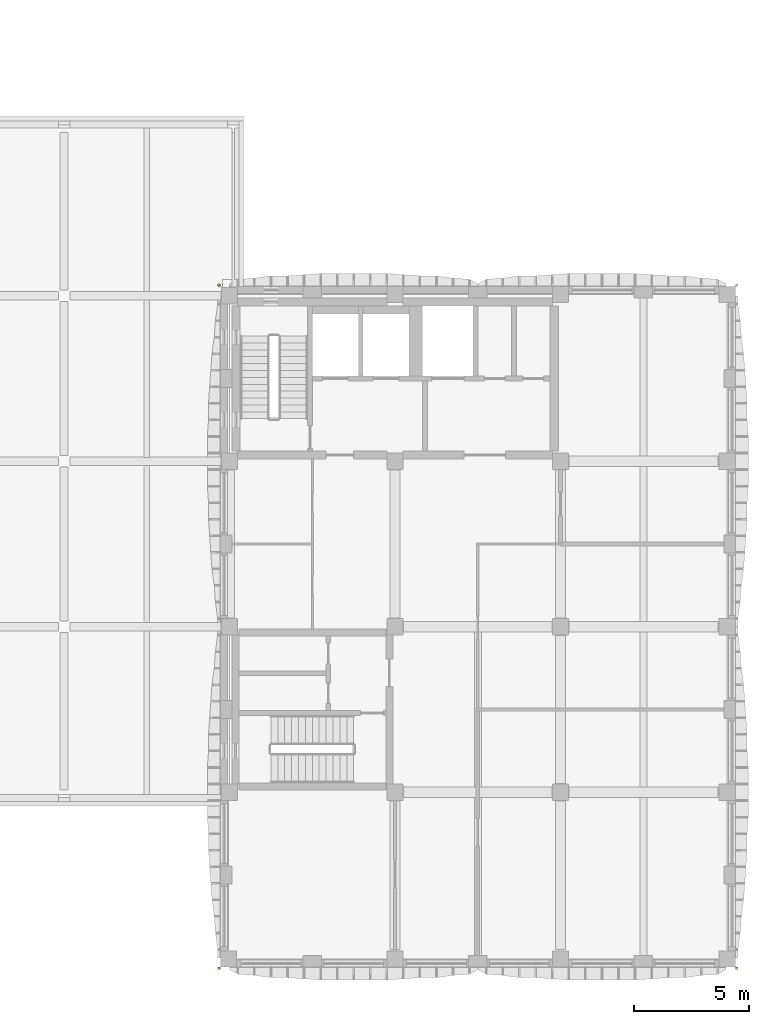
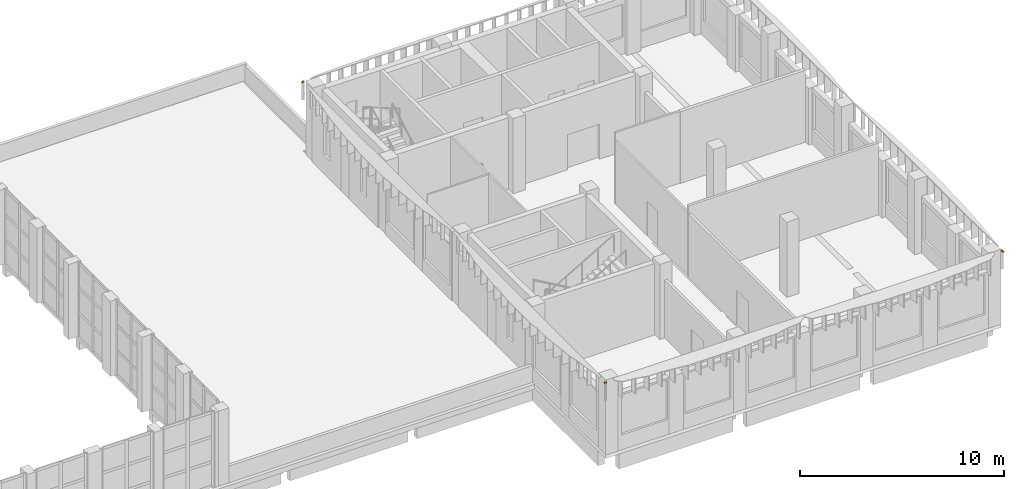
# One storey, part 41 of 44: 3 shading devices.
"""IFC4 building model written with IfcOpenShell, lengths in metres."""

from ifc_helpers import new_model, si_unit, direction, frame, origin, place, context, subcontext, project, spatial, polyline, outline, extrude, material, layer, layer_set, type_object, element, save


model = new_model("IFC4")

# Units and contexts
model_context = context("Model", 3, precision=1e-05, world=origin(), true_north=direction((0.0, 1.0)))
body_context = subcontext(model_context, "Body", "Model", "MODEL_VIEW")
ifc_project = project(units=[si_unit("LENGTHUNIT", "METRE"), si_unit("AREAUNIT", "SQUARE_METRE"), si_unit("VOLUMEUNIT", "CUBIC_METRE"), si_unit("PLANEANGLEUNIT", "RADIAN"), si_unit("MASSUNIT", "GRAM", prefix="KILO")], contexts=[model_context])

# Site, building, storey
site_placement = place(None, origin())
site = spatial("IfcSite", under=ifc_project, at=site_placement, CompositionType="ELEMENT")
building_placement = place(site_placement, origin())
building = spatial("IfcBuilding", under=site, at=building_placement, Name="Ussher Court Research Institute", CompositionType="ELEMENT")
storey_placement = place(building_placement, frame((0.0, 0.0, 18.89990234375)))
storey = spatial("IfcBuildingStorey", under=building, at=storey_placement, Name="L04", CompositionType="ELEMENT", Elevation=18.89990234375)

# Shading devices
ifc_material = material(Name="Bronze anodised aluminium", Category="aluminium")
ifc_layer = layer(ifc_material, 0.0400390625)
ifc_layer_set = layer_set([ifc_layer], Name="Bronze anodised aluminium")
shading_device_type = type_object("IfcShadingDeviceType", Name="Brim visor sheet 40 mm canted 26 deg wet", PredefinedType="USERDEFINED", material=ifc_layer_set)
for number, where, z_axis, x_axis, name in (
    (1, (104.216064453125, 3.583984375, 4.48291015625), (0.400847757571, -0.400847757571, 0.823797396512), (-0.000362285341, -0.899269394429, -0.437395044544), "Brim visor sheet BR1 L04"),
    (2, (81.783935546875, 3.583984375, 4.48291015625), (-0.400847757571, -0.400847757571, 0.823797396512), (-0.899269394429, 0.000362285341, -0.437395044544), "Brim visor sheet BR1 L04"),
    (3, (81.783935546875, 33.216064453125, 4.48291015625), (-0.400847757571, 0.400847757571, 0.823797396512), (0.000362285341, 0.899269394429, -0.437395044544), "Brim visor sheet BR1 L04"),
):
    element("IfcShadingDevice", number, at=place(storey_placement, frame(where, z_axis=z_axis, x_axis=x_axis)), inside=storey, type_object=shading_device_type, Name=name, ObjectType="BRIM", PredefinedType="USERDEFINED", context=body_context, shape_type="SweptSolid", body=[
        extrude(outline(polyline([(0.0, 0.0), (0.11126515272958254, 0.0), (0.13258606872546647, 0.10931209908468126), (0.021214130096336967, 0.10922405822982874), (0.0, 0.0)])), origin(), (0.0, 0.0, -1.0), 0.0400390625),
    ])

save(model, "model.ifc")
